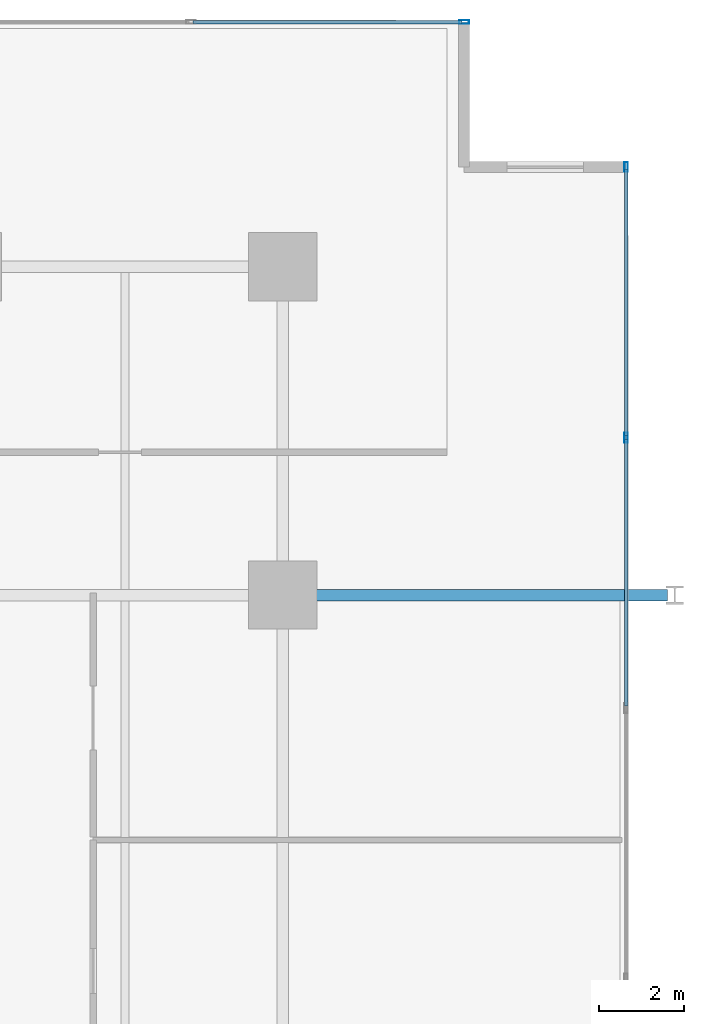
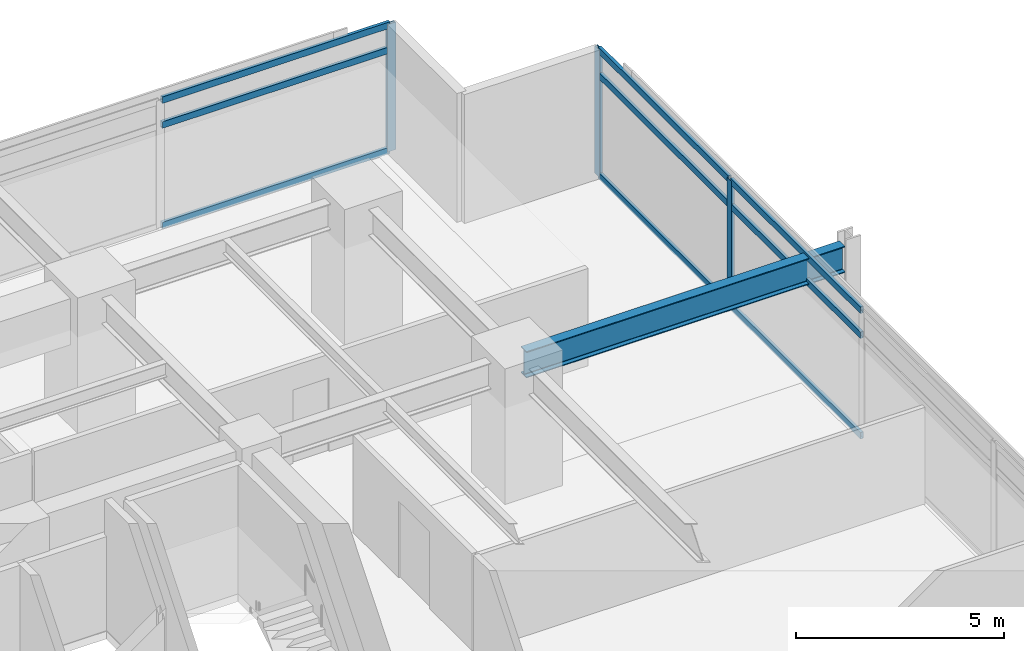
# One storey, part 12 of 23: 12 members, 1 beam, 2 elements without a shape of their own.
"""IFC4 building model written with IfcOpenShell, lengths in metres."""

from ifc_helpers import new_model, si_unit, direction, frame, origin, origin_2d, place, context, subcontext, project, spatial, hollow_rectangle, i_section, extrude, material, material_profile, profile_set, type_object, element, aggregate, save


model = new_model("IFC4")

# Units and contexts
model_context = context("Model", 3, precision=1e-05, world=origin(), true_north=direction((0.0, 1.0)))
body_context = subcontext(model_context, "Body", "Model", "MODEL_VIEW")
ifc_project = project(units=[si_unit("LENGTHUNIT", "METRE"), si_unit("AREAUNIT", "SQUARE_METRE"), si_unit("VOLUMEUNIT", "CUBIC_METRE"), si_unit("PLANEANGLEUNIT", "RADIAN"), si_unit("MASSUNIT", "GRAM", prefix="KILO")], contexts=[model_context])

# Site, building, storey
site_placement = place(None, origin())
site = spatial("IfcSite", under=ifc_project, at=site_placement, CompositionType="ELEMENT")
building_placement = place(site_placement, origin())
building = spatial("IfcBuilding", under=site, at=building_placement, Name="Kovane Verandah Tower", CompositionType="ELEMENT")
storey_placement = place(building_placement, frame((0.0, 0.0, 140.39990234375)))
storey = spatial("IfcBuildingStorey", under=building, at=storey_placement, Name="L32", CompositionType="ELEMENT", Elevation=140.39990234375)

# Beam
ifc_material_1 = material(Name="Steel S355", Category="steel")
ifc_material_profile_1 = material_profile(ifc_material_1, i_section(OverallWidth=0.26806640625, OverallDepth=0.769775390625, WebThickness=0.015625, FlangeThickness=0.025390625, FilletRadius=0.0166015625, at=origin_2d()), Name="UB762x267x197")
ifc_profile_set_1 = profile_set([ifc_material_profile_1], Name="Steel S355")
beam_type = type_object("IfcBeamType", Name="BM-UB762x197", PredefinedType="BEAM", material=ifc_profile_set_1)
beam_placement = place(storey_placement, frame((58.580078125, 36.5, 3.375244140625), z_axis=(1.0, 0.0, 0.0), x_axis=(0.0, 1.0, 0.0)))
element("IfcBeam", 1, at=beam_placement, inside=storey, type_object=beam_type, Name="L32 Primary Tower Girder G-VE2", PredefinedType="BEAM", context=body_context, shape_type="SweptSolid", body=[
    extrude(i_section(OverallWidth=0.26806640625, OverallDepth=0.769775390625, WebThickness=0.015625, FlangeThickness=0.025390625, FilletRadius=0.0166015625, at=origin_2d()), origin(), (0.0, 0.0, 1.0), 8.83984375),
])

# Curtain wall, members
ifc_material_2 = material(Name="Champagne Anodised Aluminium Frame with Low-E Clear Laminated Glass", Category="aluminium")
curtain_wall_type = type_object("IfcCurtainWallType", Name="CW-SYS-03-MID", PredefinedType="NOTDEFINED", material=ifc_material_2)
curtain_wall_1_placement = place(storey_placement, origin())
curtain_wall_1 = element("IfcCurtainWall", 2, at=curtain_wall_1_placement, inside=storey, type_object=curtain_wall_type, Name="L32 E Unitised Curtain Wall", PredefinedType="NOTDEFINED")
ifc_material_3 = material(Name="Champagne Anodised Aluminium 6063-T6", Category="aluminium")
ifc_material_profile_2 = material_profile(ifc_material_3, hollow_rectangle(XDim=0.0849609375, YDim=0.22998046875, WallThickness=0.00390625, at=origin_2d()), Name="AL85x230x4")
ifc_profile_set_2 = profile_set([ifc_material_profile_2], Name="Champagne Anodised Aluminium 6063-T6")
member_type_1 = type_object("IfcMemberType", Name="CW-MUL-85x230", PredefinedType="MULLION", material=ifc_profile_set_2)
member_1_placement = place(storey_placement, frame((66.4560546875, 40.19384765625, 0.02001953125), z_axis=(0.0, 0.0, 1.0), x_axis=(1.0, 0.0, 0.0)))
member_1 = element("IfcMember", 3, at=member_1_placement, type_object=member_type_1, Name="L32 E Unitised Curtain Wall Mullion 6", PredefinedType="MULLION", context=body_context, shape_type="SweptSolid", body=[
    extrude(hollow_rectangle(XDim=0.0849609375, YDim=0.22998046875, WallThickness=0.00390625, at=origin_2d()), origin(), (0.0, 0.0, 1.0), 3.735107421875),
])
member_2_placement = place(storey_placement, frame((66.4560546875, 46.540771484375, 0.02001953125), z_axis=(0.0, 0.0, 1.0), x_axis=(1.0, 0.0, 0.0)))
member_2 = element("IfcMember", 4, at=member_2_placement, type_object=member_type_1, Name="L32 E Unitised Curtain Wall Mullion 7", PredefinedType="MULLION", context=body_context, shape_type="SweptSolid", body=[
    extrude(hollow_rectangle(XDim=0.0849609375, YDim=0.22998046875, WallThickness=0.00390625, at=origin_2d()), origin(), (0.0, 0.0, 1.0), 3.735107421875),
])

# Curtain wall, member
curtain_wall_2_placement = place(storey_placement, origin())
curtain_wall_2 = element("IfcCurtainWall", 5, at=curtain_wall_2_placement, inside=storey, type_object=curtain_wall_type, Name="L32 N Unitised Curtain Wall", PredefinedType="NOTDEFINED")
member_3_placement = place(storey_placement, frame((62.656005859375, 49.94091796875, 0.02001953125), z_axis=(0.0, 0.0, 1.0), x_axis=(0.0, 1.0, 0.0)))
member_3 = element("IfcMember", 6, at=member_3_placement, type_object=member_type_1, Name="L32 N Unitised Curtain Wall Mullion 1", PredefinedType="MULLION", context=body_context, shape_type="SweptSolid", body=[
    extrude(hollow_rectangle(XDim=0.0849609375, YDim=0.22998046875, WallThickness=0.00390625, at=origin_2d()), origin(), (0.0, 0.0, 1.0), 3.735107421875),
])

# Member
ifc_material_profile_3 = material_profile(ifc_material_3, hollow_rectangle(XDim=0.0849609375, YDim=0.18994140625, WallThickness=0.00390625, at=origin_2d()), Name="AL85x190x4")
ifc_profile_set_3 = profile_set([ifc_material_profile_3], Name="Champagne Anodised Aluminium 6063-T6")
member_type_2 = type_object("IfcMemberType", Name="CW-TRN-85x190", PredefinedType="USERDEFINED", material=ifc_profile_set_3)
member_4_placement = place(storey_placement, frame((66.4560546875, 33.89697265625, 0.050048828125), z_axis=(0.0, 1.0, 0.0), x_axis=(-1.0, 0.0, 0.0)))
member_4 = element("IfcMember", 7, at=member_4_placement, type_object=member_type_2, Name="L32 E Unitised Curtain Wall Transom TB Bay 5", ObjectType="TRANSOM", PredefinedType="USERDEFINED", context=body_context, shape_type="SweptSolid", body=[
    extrude(hollow_rectangle(XDim=0.0849609375, YDim=0.18994140625, WallThickness=0.00390625, at=origin_2d()), origin(), (0.0, 0.0, 1.0), 6.246826171875),
])

member_5_placement = place(storey_placement, frame((66.4560546875, 33.89697265625, 2.9951171875), z_axis=(0.0, 1.0, 0.0), x_axis=(-1.0, 0.0, 0.0)))
member_5 = element("IfcMember", 8, at=member_5_placement, type_object=member_type_2, Name="L32 E Unitised Curtain Wall Transom TM Bay 5", ObjectType="TRANSOM", PredefinedType="USERDEFINED", context=body_context, shape_type="SweptSolid", body=[
    extrude(hollow_rectangle(XDim=0.0849609375, YDim=0.18994140625, WallThickness=0.00390625, at=origin_2d()), origin(), (0.0, 0.0, 1.0), 6.246826171875),
])

member_6_placement = place(storey_placement, frame((66.4560546875, 33.89697265625, 3.72509765625), z_axis=(0.0, 1.0, 0.0), x_axis=(-1.0, 0.0, 0.0)))
member_6 = element("IfcMember", 9, at=member_6_placement, type_object=member_type_2, Name="L32 E Unitised Curtain Wall Transom TT Bay 5", ObjectType="TRANSOM", PredefinedType="USERDEFINED", context=body_context, shape_type="SweptSolid", body=[
    extrude(hollow_rectangle(XDim=0.0849609375, YDim=0.18994140625, WallThickness=0.00390625, at=origin_2d()), origin(), (0.0, 0.0, 1.0), 6.246826171875),
])

member_7_placement = place(storey_placement, frame((66.4560546875, 40.243896484375, 0.050048828125), z_axis=(0.0, 1.0, 0.0), x_axis=(-1.0, 0.0, 0.0)))
member_7 = element("IfcMember", 10, at=member_7_placement, type_object=member_type_2, Name="L32 E Unitised Curtain Wall Transom TB Bay 6", ObjectType="TRANSOM", PredefinedType="USERDEFINED", context=body_context, shape_type="SweptSolid", body=[
    extrude(hollow_rectangle(XDim=0.0849609375, YDim=0.18994140625, WallThickness=0.00390625, at=origin_2d()), origin(), (0.0, 0.0, 1.0), 6.246826171875),
])

member_8_placement = place(storey_placement, frame((66.4560546875, 40.243896484375, 2.9951171875), z_axis=(0.0, 1.0, 0.0), x_axis=(-1.0, 0.0, 0.0)))
member_8 = element("IfcMember", 11, at=member_8_placement, type_object=member_type_2, Name="L32 E Unitised Curtain Wall Transom TM Bay 6", ObjectType="TRANSOM", PredefinedType="USERDEFINED", context=body_context, shape_type="SweptSolid", body=[
    extrude(hollow_rectangle(XDim=0.0849609375, YDim=0.18994140625, WallThickness=0.00390625, at=origin_2d()), origin(), (0.0, 0.0, 1.0), 6.246826171875),
])

member_9_placement = place(storey_placement, frame((66.4560546875, 40.243896484375, 3.72509765625), z_axis=(0.0, 1.0, 0.0), x_axis=(-1.0, 0.0, 0.0)))
member_9 = element("IfcMember", 12, at=member_9_placement, type_object=member_type_2, Name="L32 E Unitised Curtain Wall Transom TT Bay 6", ObjectType="TRANSOM", PredefinedType="USERDEFINED", context=body_context, shape_type="SweptSolid", body=[
    extrude(hollow_rectangle(XDim=0.0849609375, YDim=0.18994140625, WallThickness=0.00390625, at=origin_2d()), origin(), (0.0, 0.0, 1.0), 6.246826171875),
])

aggregate(curtain_wall_1, [member_1, member_2, member_4, member_5, member_6, member_7, member_8, member_9])

member_10_placement = place(storey_placement, frame((62.606201171875, 49.94091796875, 0.050048828125), z_axis=(-1.0, 0.0, 0.0), x_axis=(0.0, -1.0, 0.0)))
member_10 = element("IfcMember", 13, at=member_10_placement, type_object=member_type_2, Name="L32 N Unitised Curtain Wall Transom TB Bay 1", ObjectType="TRANSOM", PredefinedType="USERDEFINED", context=body_context, shape_type="SweptSolid", body=[
    extrude(hollow_rectangle(XDim=0.0849609375, YDim=0.18994140625, WallThickness=0.00390625, at=origin_2d()), origin(), (0.0, 0.0, 1.0), 6.308349609375),
])

member_11_placement = place(storey_placement, frame((62.606201171875, 49.94091796875, 2.9951171875), z_axis=(-1.0, 0.0, 0.0), x_axis=(0.0, -1.0, 0.0)))
member_11 = element("IfcMember", 14, at=member_11_placement, type_object=member_type_2, Name="L32 N Unitised Curtain Wall Transom TM Bay 1", ObjectType="TRANSOM", PredefinedType="USERDEFINED", context=body_context, shape_type="SweptSolid", body=[
    extrude(hollow_rectangle(XDim=0.0849609375, YDim=0.18994140625, WallThickness=0.00390625, at=origin_2d()), origin(), (0.0, 0.0, 1.0), 6.308349609375),
])

member_12_placement = place(storey_placement, frame((62.606201171875, 49.94091796875, 3.72509765625), z_axis=(-1.0, 0.0, 0.0), x_axis=(0.0, -1.0, 0.0)))
member_12 = element("IfcMember", 15, at=member_12_placement, type_object=member_type_2, Name="L32 N Unitised Curtain Wall Transom TT Bay 1", ObjectType="TRANSOM", PredefinedType="USERDEFINED", context=body_context, shape_type="SweptSolid", body=[
    extrude(hollow_rectangle(XDim=0.0849609375, YDim=0.18994140625, WallThickness=0.00390625, at=origin_2d()), origin(), (0.0, 0.0, 1.0), 6.308349609375),
])

aggregate(curtain_wall_2, [member_3, member_10, member_11, member_12])

save(model, "model.ifc")
